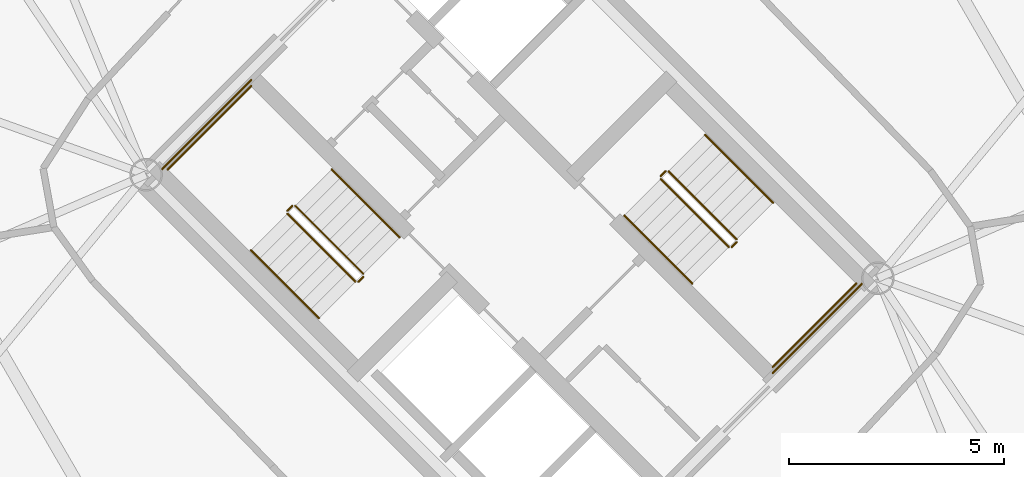
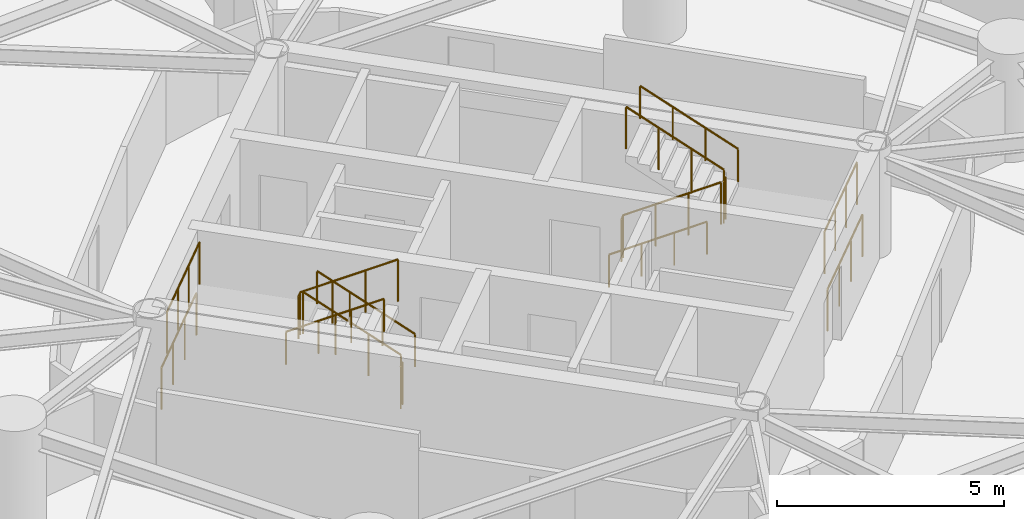
# One storey, part 16 of 17: 16 railings.
"""IFC4 building model written with IfcOpenShell, lengths in metres."""

from ifc_helpers import new_model, si_unit, direction, frame, origin, origin_2d, place, context, subcontext, project, spatial, circle, extrude, material, type_object, element, save


model = new_model("IFC4")

# Units and contexts
model_context = context("Model", 3, precision=1e-05, world=origin(), true_north=direction((0.0, 1.0)))
body_context = subcontext(model_context, "Body", "Model", "MODEL_VIEW")
ifc_project = project(units=[si_unit("LENGTHUNIT", "METRE"), si_unit("AREAUNIT", "SQUARE_METRE"), si_unit("VOLUMEUNIT", "CUBIC_METRE"), si_unit("PLANEANGLEUNIT", "RADIAN"), si_unit("MASSUNIT", "GRAM", prefix="KILO")], contexts=[model_context])

# Site, building, storey
site_placement = place(None, origin())
site = spatial("IfcSite", under=ifc_project, at=site_placement, CompositionType="ELEMENT")
building_placement = place(site_placement, origin())
building = spatial("IfcBuilding", under=site, at=building_placement, Name="Cununo Teusaquillo Station Towers", CompositionType="ELEMENT")
storey_placement = place(building_placement, frame((0.0, 0.0, 70.14990234375)))
storey = spatial("IfcBuildingStorey", under=building, at=storey_placement, Name="L21", CompositionType="ELEMENT", Elevation=70.14990234375)

# Railings
ifc_material_1 = material(Name="Steel EN 10025-2 S355J2", Category="steel")
railing_type_1 = type_object("IfcRailingType", Name="RL-INT-GUARD", PredefinedType="GUARDRAIL", material=ifc_material_1)
railing_1_placement = place(storey_placement, frame((54.03515625, 23.39697265625, 0.161865234375)))
element("IfcRailing", 1, at=railing_1_placement, inside=storey, type_object=railing_type_1, Name="L21 ST-T2-1 stair guard 1", PredefinedType="GUARDRAIL", context=body_context, shape_type="SweptSolid", body=[
    extrude(circle(Radius=0.02392578125, at=origin_2d()), frame((0.0, 0.0, 1.1259765625), z_axis=(-0.612361259024, 0.612361259024, 0.500027376144), x_axis=(-0.707106781187, -0.707106781187, 0.0)), (0.0, 0.0, 1.0), 2.586181640625),
    extrude(circle(Radius=0.02099609375, at=origin_2d()), origin(), (0.0, 0.0, 1.0), 1.101806640625),
    extrude(circle(Radius=0.02099609375, at=origin_2d()), frame((-0.52783203125, 0.52783203125, 0.43115234375)), (0.0, 0.0, 1.0), 1.101806640625),
    extrude(circle(Radius=0.02099609375, at=origin_2d()), frame((-1.055908203125, 1.055908203125, 0.862060546875)), (0.0, 0.0, 1.0), 1.101806640625),
    extrude(circle(Radius=0.02099609375, at=origin_2d()), frame((-1.583740234375, 1.583740234375, 1.293212890625)), (0.0, 0.0, 1.0), 1.101806640625),
])
railing_2_placement = place(storey_placement, frame((52.380615234375, 24.980712890625, 1.455078125)))
element("IfcRailing", 2, at=railing_2_placement, inside=storey, type_object=railing_type_1, Name="L21 ST-T2-1 stair guard 2", PredefinedType="GUARDRAIL", context=body_context, shape_type="SweptSolid", body=[
    extrude(circle(Radius=0.02392578125, at=origin_2d()), frame((0.0, 0.0, 1.1259765625), z_axis=(-0.7078691598, -0.706343579714, 0.0), x_axis=(0.706343579714, -0.7078691598, 0.0)), (0.0, 0.0, 1.0), 0.159912109375),
    extrude(circle(Radius=0.02099609375, at=origin_2d()), origin(), (0.0, 0.0, 1.0), 1.101806640625),
    extrude(circle(Radius=0.02099609375, at=origin_2d()), frame((-0.11328125, -0.113037109375, 0.0)), (0.0, 0.0, 1.0), 1.101806640625),
])
railing_3_placement = place(storey_placement, frame((51.426025390625, 27.77392578125, 1.455078125)))
element("IfcRailing", 3, at=railing_3_placement, inside=storey, type_object=railing_type_1, Name="L21 ST-T2-1 stair guard 3", PredefinedType="GUARDRAIL", context=body_context, shape_type="SweptSolid", body=[
    extrude(circle(Radius=0.02392578125, at=origin_2d()), frame((0.0, 0.0, 1.1259765625), z_axis=(-0.707106781187, -0.707106781187, 0.0), x_axis=(0.707106781187, -0.707106781187, 0.0)), (0.0, 0.0, 1.0), 2.760009765625),
    extrude(circle(Radius=0.02099609375, at=origin_2d()), origin(), (0.0, 0.0, 1.0), 1.101806640625),
    extrude(circle(Radius=0.02099609375, at=origin_2d()), frame((-0.650634765625, -0.650634765625, 0.0)), (0.0, 0.0, 1.0), 1.101806640625),
    extrude(circle(Radius=0.02099609375, at=origin_2d()), frame((-1.301025390625, -1.301025390625, 0.0)), (0.0, 0.0, 1.0), 1.101806640625),
    extrude(circle(Radius=0.02099609375, at=origin_2d()), frame((-1.95166015625, -1.95166015625, 0.0)), (0.0, 0.0, 1.0), 1.101806640625),
])
railing_4_placement = place(storey_placement, frame((52.267333984375, 24.796875, 1.61669921875)))
element("IfcRailing", 4, at=railing_4_placement, inside=storey, type_object=railing_type_1, Name="L21 ST-T2-1 stair guard 4", PredefinedType="GUARDRAIL", context=body_context, shape_type="SweptSolid", body=[
    extrude(circle(Radius=0.02392578125, at=origin_2d()), frame((0.0, 0.0, 1.1259765625), z_axis=(0.612391349474, -0.612296961165, 0.500069261639), x_axis=(0.707052281454, 0.707161276719, 0.0)), (0.0, 0.0, 1.0), 2.586669921875),
    extrude(circle(Radius=0.02099609375, at=origin_2d()), origin(), (0.0, 0.0, 1.0), 1.101806640625),
    extrude(circle(Radius=0.02099609375, at=origin_2d()), frame((0.528076171875, -0.52783203125, 0.43115234375)), (0.0, 0.0, 1.0), 1.101806640625),
    extrude(circle(Radius=0.02099609375, at=origin_2d()), frame((1.055908203125, -1.055908203125, 0.8623046875)), (0.0, 0.0, 1.0), 1.101806640625),
    extrude(circle(Radius=0.02099609375, at=origin_2d()), frame((1.583984375, -1.583740234375, 1.29345703125)), (0.0, 0.0, 1.0), 1.101806640625),
])
railing_5_placement = place(storey_placement, frame((54.03515625, 23.326171875, 0.0)))
element("IfcRailing", 5, at=railing_5_placement, inside=storey, type_object=railing_type_1, Name="L21 ST-T2-1 stair guard 5", PredefinedType="GUARDRAIL", context=body_context, shape_type="SweptSolid", body=[
    extrude(circle(Radius=0.02392578125, at=origin_2d()), frame((0.0, 0.0, 1.1259765625), z_axis=(-0.707106781187, -0.707106781187, 0.0), x_axis=(0.707106781187, -0.707106781187, 0.0)), (0.0, 0.0, 1.0), 0.159912109375),
    extrude(circle(Radius=0.02099609375, at=origin_2d()), origin(), (0.0, 0.0, 1.0), 1.101806640625),
    extrude(circle(Radius=0.02099609375, at=origin_2d()), frame((-0.113037109375, -0.113037109375, 0.0)), (0.0, 0.0, 1.0), 1.101806640625),
])
railing_6_placement = place(storey_placement, frame((51.426025390625, 27.915283203125, 0.0)))
element("IfcRailing", 6, at=railing_6_placement, inside=storey, type_object=railing_type_1, Name="L21 ST-T2-1 stair guard 6", PredefinedType="GUARDRAIL", context=body_context, shape_type="SweptSolid", body=[
    extrude(circle(Radius=0.02392578125, at=origin_2d()), frame((0.0, 0.0, 1.1259765625), z_axis=(-0.707106781187, -0.707106781187, 0.0), x_axis=(0.707106781187, -0.707106781187, 0.0)), (0.0, 0.0, 1.0), 2.9599609375),
    extrude(circle(Radius=0.02099609375, at=origin_2d()), origin(), (0.0, 0.0, 1.0), 1.101806640625),
    extrude(circle(Radius=0.02099609375, at=origin_2d()), frame((-0.69775390625, -0.69775390625, 0.0)), (0.0, 0.0, 1.0), 1.101806640625),
    extrude(circle(Radius=0.02099609375, at=origin_2d()), frame((-1.395263671875, -1.395263671875, 0.0)), (0.0, 0.0, 1.0), 1.101806640625),
    extrude(circle(Radius=0.02099609375, at=origin_2d()), frame((-2.093017578125, -2.093017578125, 0.0)), (0.0, 0.0, 1.0), 1.101806640625),
])
railing_7_placement = place(storey_placement, frame((60.96484375, 25.60302734375, 0.161865234375)))
element("IfcRailing", 7, at=railing_7_placement, inside=storey, type_object=railing_type_1, Name="L21 ST-T2-2 stair guard 1", PredefinedType="GUARDRAIL", context=body_context, shape_type="SweptSolid", body=[
    extrude(circle(Radius=0.02392578125, at=origin_2d()), frame((0.0, 0.0, 1.1259765625), z_axis=(0.612361259024, -0.612361259024, 0.500027376144), x_axis=(0.707106781187, 0.707106781187, 0.0)), (0.0, 0.0, 1.0), 2.586181640625),
    extrude(circle(Radius=0.02099609375, at=origin_2d()), origin(), (0.0, 0.0, 1.0), 1.101806640625),
    extrude(circle(Radius=0.02099609375, at=origin_2d()), frame((0.52783203125, -0.52783203125, 0.43115234375)), (0.0, 0.0, 1.0), 1.101806640625),
    extrude(circle(Radius=0.02099609375, at=origin_2d()), frame((1.055908203125, -1.055908203125, 0.862060546875)), (0.0, 0.0, 1.0), 1.101806640625),
    extrude(circle(Radius=0.02099609375, at=origin_2d()), frame((1.583740234375, -1.583740234375, 1.293212890625)), (0.0, 0.0, 1.0), 1.101806640625),
])
railing_8_placement = place(storey_placement, frame((62.619384765625, 24.019287109375, 1.455078125)))
element("IfcRailing", 8, at=railing_8_placement, inside=storey, type_object=railing_type_1, Name="L21 ST-T2-2 stair guard 2", PredefinedType="GUARDRAIL", context=body_context, shape_type="SweptSolid", body=[
    extrude(circle(Radius=0.02392578125, at=origin_2d()), frame((0.0, 0.0, 1.1259765625), z_axis=(0.7078691598, 0.706343579714, 0.0), x_axis=(-0.706343579714, 0.7078691598, 0.0)), (0.0, 0.0, 1.0), 0.159912109375),
    extrude(circle(Radius=0.02099609375, at=origin_2d()), origin(), (0.0, 0.0, 1.0), 1.101806640625),
    extrude(circle(Radius=0.02099609375, at=origin_2d()), frame((0.11328125, 0.113037109375, 0.0)), (0.0, 0.0, 1.0), 1.101806640625),
])
railing_9_placement = place(storey_placement, frame((63.573974609375, 21.22607421875, 1.455078125)))
element("IfcRailing", 9, at=railing_9_placement, inside=storey, type_object=railing_type_1, Name="L21 ST-T2-2 stair guard 3", PredefinedType="GUARDRAIL", context=body_context, shape_type="SweptSolid", body=[
    extrude(circle(Radius=0.02392578125, at=origin_2d()), frame((0.0, 0.0, 1.1259765625), z_axis=(0.707106781187, 0.707106781187, 0.0), x_axis=(-0.707106781187, 0.707106781187, 0.0)), (0.0, 0.0, 1.0), 2.760009765625),
    extrude(circle(Radius=0.02099609375, at=origin_2d()), origin(), (0.0, 0.0, 1.0), 1.101806640625),
    extrude(circle(Radius=0.02099609375, at=origin_2d()), frame((0.650634765625, 0.650634765625, 0.0)), (0.0, 0.0, 1.0), 1.101806640625),
    extrude(circle(Radius=0.02099609375, at=origin_2d()), frame((1.301025390625, 1.301025390625, 0.0)), (0.0, 0.0, 1.0), 1.101806640625),
    extrude(circle(Radius=0.02099609375, at=origin_2d()), frame((1.95166015625, 1.95166015625, 0.0)), (0.0, 0.0, 1.0), 1.101806640625),
])
railing_10_placement = place(storey_placement, frame((62.732666015625, 24.203125, 1.61669921875)))
element("IfcRailing", 10, at=railing_10_placement, inside=storey, type_object=railing_type_1, Name="L21 ST-T2-2 stair guard 4", PredefinedType="GUARDRAIL", context=body_context, shape_type="SweptSolid", body=[
    extrude(circle(Radius=0.02392578125, at=origin_2d()), frame((0.0, 0.0, 1.1259765625), z_axis=(-0.612391349474, 0.612296961165, 0.500069261639), x_axis=(-0.707052281454, -0.707161276719, 0.0)), (0.0, 0.0, 1.0), 2.586669921875),
    extrude(circle(Radius=0.02099609375, at=origin_2d()), origin(), (0.0, 0.0, 1.0), 1.101806640625),
    extrude(circle(Radius=0.02099609375, at=origin_2d()), frame((-0.528076171875, 0.52783203125, 0.43115234375)), (0.0, 0.0, 1.0), 1.101806640625),
    extrude(circle(Radius=0.02099609375, at=origin_2d()), frame((-1.055908203125, 1.055908203125, 0.8623046875)), (0.0, 0.0, 1.0), 1.101806640625),
    extrude(circle(Radius=0.02099609375, at=origin_2d()), frame((-1.583984375, 1.583740234375, 1.29345703125)), (0.0, 0.0, 1.0), 1.101806640625),
])
railing_11_placement = place(storey_placement, frame((60.96484375, 25.673828125, 0.0)))
element("IfcRailing", 11, at=railing_11_placement, inside=storey, type_object=railing_type_1, Name="L21 ST-T2-2 stair guard 5", PredefinedType="GUARDRAIL", context=body_context, shape_type="SweptSolid", body=[
    extrude(circle(Radius=0.02392578125, at=origin_2d()), frame((0.0, 0.0, 1.1259765625), z_axis=(0.707106781187, 0.707106781187, 0.0), x_axis=(-0.707106781187, 0.707106781187, 0.0)), (0.0, 0.0, 1.0), 0.159912109375),
    extrude(circle(Radius=0.02099609375, at=origin_2d()), origin(), (0.0, 0.0, 1.0), 1.101806640625),
    extrude(circle(Radius=0.02099609375, at=origin_2d()), frame((0.113037109375, 0.113037109375, 0.0)), (0.0, 0.0, 1.0), 1.101806640625),
])
railing_12_placement = place(storey_placement, frame((63.573974609375, 21.084716796875, 0.0)))
element("IfcRailing", 12, at=railing_12_placement, inside=storey, type_object=railing_type_1, Name="L21 ST-T2-2 stair guard 6", PredefinedType="GUARDRAIL", context=body_context, shape_type="SweptSolid", body=[
    extrude(circle(Radius=0.02392578125, at=origin_2d()), frame((0.0, 0.0, 1.1259765625), z_axis=(0.707106781187, 0.707106781187, 0.0), x_axis=(-0.707106781187, 0.707106781187, 0.0)), (0.0, 0.0, 1.0), 2.9599609375),
    extrude(circle(Radius=0.02099609375, at=origin_2d()), origin(), (0.0, 0.0, 1.0), 1.101806640625),
    extrude(circle(Radius=0.02099609375, at=origin_2d()), frame((0.69775390625, 0.69775390625, 0.0)), (0.0, 0.0, 1.0), 1.101806640625),
    extrude(circle(Radius=0.02099609375, at=origin_2d()), frame((1.395263671875, 1.395263671875, 0.0)), (0.0, 0.0, 1.0), 1.101806640625),
    extrude(circle(Radius=0.02099609375, at=origin_2d()), frame((2.093017578125, 2.093017578125, 0.0)), (0.0, 0.0, 1.0), 1.101806640625),
])
ifc_material_2 = material(Name="Steel EN 10025-2 S355J2", Category="steel")
railing_type_2 = type_object("IfcRailingType", Name="RL-INT-HRAIL", PredefinedType="HANDRAIL", material=ifc_material_2)
railing_13_placement = place(storey_placement, frame((54.8837890625, 24.245361328125, 0.161865234375)))
element("IfcRailing", 13, at=railing_13_placement, inside=storey, type_object=railing_type_2, Name="L21 ST-T2-1 stair handrail 1", PredefinedType="HANDRAIL", context=body_context, shape_type="SweptSolid", body=[
    extrude(circle(Radius=0.02392578125, at=origin_2d()), frame((0.0, 0.0, 0.8759765625), z_axis=(-0.612384857071, 0.612384857071, 0.499969572735), x_axis=(-0.707106781187, -0.707106781187, 0.0)), (0.0, 0.0, 1.0), 2.586669921875),
    extrude(circle(Radius=0.02099609375, at=origin_2d()), origin(), (0.0, 0.0, 1.0), 0.851806640625),
    extrude(circle(Radius=0.02099609375, at=origin_2d()), frame((-0.528076171875, 0.528076171875, 0.43115234375)), (0.0, 0.0, 1.0), 0.851806640625),
    extrude(circle(Radius=0.02099609375, at=origin_2d()), frame((-1.055908203125, 1.055908203125, 0.862060546875)), (0.0, 0.0, 1.0), 0.851806640625),
    extrude(circle(Radius=0.02099609375, at=origin_2d()), frame((-1.583984375, 1.583984375, 1.293212890625)), (0.0, 0.0, 1.0), 0.851806640625),
])
railing_14_placement = place(storey_placement, frame((51.4189453125, 23.948486328125, 1.61669921875)))
element("IfcRailing", 14, at=railing_14_placement, inside=storey, type_object=railing_type_2, Name="L21 ST-T2-1 stair handrail 2", PredefinedType="HANDRAIL", context=body_context, shape_type="SweptSolid", body=[
    extrude(circle(Radius=0.02392578125, at=origin_2d()), frame((0.0, 0.0, 0.8759765625), z_axis=(0.612355957468, -0.612355957468, 0.500040361077), x_axis=(0.707106781187, 0.707106781187, 0.0)), (0.0, 0.0, 1.0), 2.586669921875),
    extrude(circle(Radius=0.02099609375, at=origin_2d()), origin(), (0.0, 0.0, 1.0), 0.851806640625),
    extrude(circle(Radius=0.02099609375, at=origin_2d()), frame((0.528076171875, -0.528076171875, 0.43115234375)), (0.0, 0.0, 1.0), 0.851806640625),
    extrude(circle(Radius=0.02099609375, at=origin_2d()), frame((1.055908203125, -1.055908203125, 0.8623046875)), (0.0, 0.0, 1.0), 0.851806640625),
    extrude(circle(Radius=0.02099609375, at=origin_2d()), frame((1.583984375, -1.583984375, 1.29345703125)), (0.0, 0.0, 1.0), 0.851806640625),
])
railing_15_placement = place(storey_placement, frame((60.1162109375, 24.754638671875, 0.161865234375)))
element("IfcRailing", 15, at=railing_15_placement, inside=storey, type_object=railing_type_2, Name="L21 ST-T2-2 stair handrail 1", PredefinedType="HANDRAIL", context=body_context, shape_type="SweptSolid", body=[
    extrude(circle(Radius=0.02392578125, at=origin_2d()), frame((0.0, 0.0, 0.8759765625), z_axis=(0.612384857071, -0.612384857071, 0.499969572735), x_axis=(0.707106781187, 0.707106781187, 0.0)), (0.0, 0.0, 1.0), 2.586669921875),
    extrude(circle(Radius=0.02099609375, at=origin_2d()), origin(), (0.0, 0.0, 1.0), 0.851806640625),
    extrude(circle(Radius=0.02099609375, at=origin_2d()), frame((0.528076171875, -0.528076171875, 0.43115234375)), (0.0, 0.0, 1.0), 0.851806640625),
    extrude(circle(Radius=0.02099609375, at=origin_2d()), frame((1.055908203125, -1.055908203125, 0.862060546875)), (0.0, 0.0, 1.0), 0.851806640625),
    extrude(circle(Radius=0.02099609375, at=origin_2d()), frame((1.583984375, -1.583984375, 1.293212890625)), (0.0, 0.0, 1.0), 0.851806640625),
])
railing_16_placement = place(storey_placement, frame((63.5810546875, 25.051513671875, 1.61669921875)))
element("IfcRailing", 16, at=railing_16_placement, inside=storey, type_object=railing_type_2, Name="L21 ST-T2-2 stair handrail 2", PredefinedType="HANDRAIL", context=body_context, shape_type="SweptSolid", body=[
    extrude(circle(Radius=0.02392578125, at=origin_2d()), frame((0.0, 0.0, 0.8759765625), z_axis=(-0.612355957468, 0.612355957468, 0.500040361077), x_axis=(-0.707106781187, -0.707106781187, 0.0)), (0.0, 0.0, 1.0), 2.586669921875),
    extrude(circle(Radius=0.02099609375, at=origin_2d()), origin(), (0.0, 0.0, 1.0), 0.851806640625),
    extrude(circle(Radius=0.02099609375, at=origin_2d()), frame((-0.528076171875, 0.528076171875, 0.43115234375)), (0.0, 0.0, 1.0), 0.851806640625),
    extrude(circle(Radius=0.02099609375, at=origin_2d()), frame((-1.055908203125, 1.055908203125, 0.8623046875)), (0.0, 0.0, 1.0), 0.851806640625),
    extrude(circle(Radius=0.02099609375, at=origin_2d()), frame((-1.583984375, 1.583984375, 1.29345703125)), (0.0, 0.0, 1.0), 0.851806640625),
])

save(model, "model.ifc")
